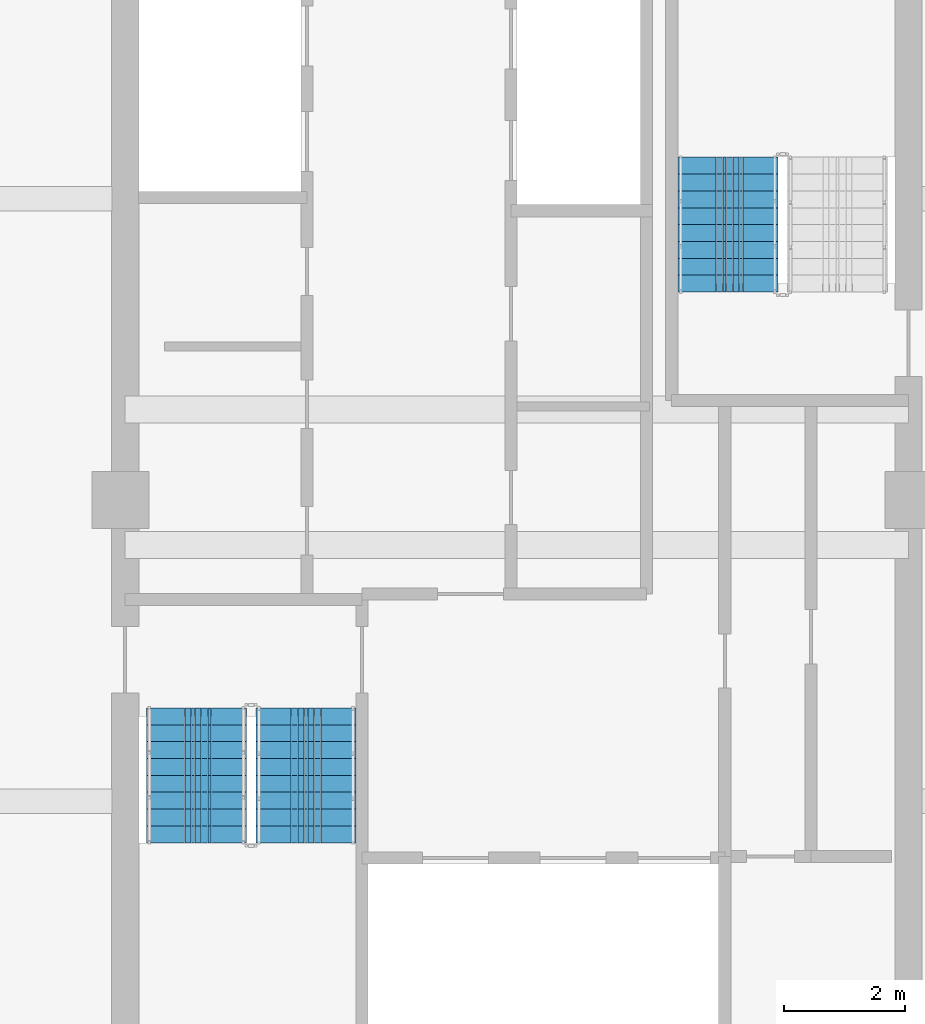
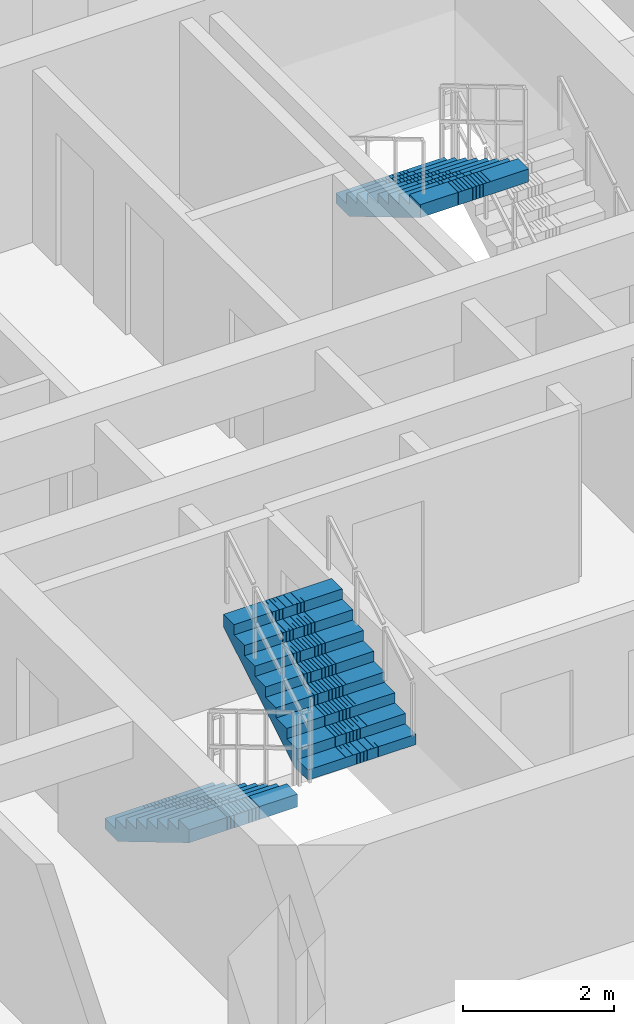
# One storey, part 8 of 14: 3 stair flights, 2 elements without a shape of their own.
"""IFC4 building model written with IfcOpenShell, lengths in metres."""

from ifc_helpers import new_model, si_unit, direction, frame, origin, place, context, subcontext, project, spatial, polyline, outline, extrude, material, type_object, element, aggregate, save


model = new_model("IFC4")

# Units and contexts
model_context = context("Model", 3, precision=1e-05, world=origin(), true_north=direction((0.0, 1.0)))
body_context = subcontext(model_context, "Body", "Model", "MODEL_VIEW")
ifc_project = project(units=[si_unit("LENGTHUNIT", "METRE"), si_unit("AREAUNIT", "SQUARE_METRE"), si_unit("VOLUMEUNIT", "CUBIC_METRE"), si_unit("PLANEANGLEUNIT", "RADIAN"), si_unit("MASSUNIT", "GRAM", prefix="KILO")], contexts=[model_context])

# Site, building, storey
site_placement = place(None, origin())
site = spatial("IfcSite", under=ifc_project, at=site_placement, CompositionType="ELEMENT")
building_placement = place(site_placement, origin())
building = spatial("IfcBuilding", under=site, at=building_placement, Name="Saelheon Loggia Tower", CompositionType="ELEMENT")
storey_placement = place(building_placement, frame((0.0, 0.0, 210.300048828125)))
storey = spatial("IfcBuildingStorey", under=building, at=storey_placement, Name="L65", CompositionType="ELEMENT", Elevation=210.300048828125)

# Stair, stair flights
ifc_material = material(Name="Concrete C40/50", Category="concrete")
stair_type = type_object("IfcStairType", Name="Stair_Escape_Core", PredefinedType="HALF_TURN_STAIR", material=ifc_material)
stair_1_placement = place(storey_placement, origin())
stair_1 = element("IfcStair", 1, at=stair_1_placement, inside=storey, type_object=stair_type, Name="L65 Special Escape Stair ST1", PredefinedType="HALF_TURN_STAIR")
stair_flight_type = type_object("IfcStairFlightType", Name="StairFlight_Tower_1660", PredefinedType="STRAIGHT", material=ifc_material)
stair_flight_1_placement = place(storey_placement, frame((32.679931640625, 23.550048828125, 0.0), z_axis=(0.0, 0.0, 1.0), x_axis=(0.0, -1.0, 0.0)))
stair_flight_1 = element("IfcStairFlight", 2, at=stair_flight_1_placement, type_object=stair_flight_type, Name="ST1 flight 1", NumberOfRisers=9, NumberOfTreads=8, PredefinedType="STRAIGHT", RiserHeight=0.166666667, TreadLength=0.28, context=body_context, shape_type="SweptSolid", body=[
    extrude(outline(polyline([(0.0, 0.0), (0.0, 0.166748046875), (0.280029296875, 0.166748046875), (0.280029296875, 0.333251953125), (0.56005859375, 0.333251953125), (0.56005859375, 0.5), (0.840087890625, 0.5), (0.840087890625, 0.666748046875), (1.1201171875, 0.666748046875), (1.1201171875, 0.833251953125), (1.39990234375, 0.833251953125), (1.39990234375, 1.0), (1.679931640625, 1.0), (1.679931640625, 1.166748046875), (1.9599609375, 1.166748046875), (1.9599609375, 1.333251953125), (2.239990234375, 1.333251953125), (2.239990234375, 1.5), (2.239990234375, 1.1240234375), (0.351806640625, 0.0), (0.0, 0.0)])), frame((0.0, -0.2490234375, 0.0), z_axis=(0.0, -1.0, 0.0), x_axis=(1.0, 0.0, 0.0)), (0.0, 0.0, 1.0), 0.5810546875),
    extrude(outline(polyline([(0.0, 0.0), (0.0, 0.166748046875), (0.280029296875, 0.166748046875), (0.280029296875, 0.333251953125), (0.56005859375, 0.333251953125), (0.56005859375, 0.5), (0.840087890625, 0.5), (0.840087890625, 0.666748046875), (1.1201171875, 0.666748046875), (1.1201171875, 0.833251953125), (1.39990234375, 0.833251953125), (1.39990234375, 1.0), (1.679931640625, 1.0), (1.679931640625, 1.166748046875), (1.9599609375, 1.166748046875), (1.9599609375, 1.333251953125), (2.239990234375, 1.333251953125), (2.239990234375, 1.5), (2.239990234375, 1.1240234375), (0.351806640625, 0.0), (0.0, 0.0)])), frame((0.0, -0.194091796875, 0.0), z_axis=(0.0, -1.0, 0.0), x_axis=(1.0, 0.0, 0.0)), (0.0, 0.0, 1.0), 0.0498046875),
    extrude(outline(polyline([(0.0, 0.0), (0.0, 0.166748046875), (0.280029296875, 0.166748046875), (0.280029296875, 0.333251953125), (0.56005859375, 0.333251953125), (0.56005859375, 0.5), (0.840087890625, 0.5), (0.840087890625, 0.666748046875), (1.1201171875, 0.666748046875), (1.1201171875, 0.833251953125), (1.39990234375, 0.833251953125), (1.39990234375, 1.0), (1.679931640625, 1.0), (1.679931640625, 1.166748046875), (1.9599609375, 1.166748046875), (1.9599609375, 1.333251953125), (2.239990234375, 1.333251953125), (2.239990234375, 1.5), (2.239990234375, 1.1240234375), (0.351806640625, 0.0), (0.0, 0.0)])), frame((0.0, -0.139404296875, 0.0), z_axis=(0.0, -1.0, 0.0), x_axis=(1.0, 0.0, 0.0)), (0.0, 0.0, 1.0), 0.0498046875),
    extrude(outline(polyline([(0.0, 0.0), (0.0, 0.166748046875), (0.280029296875, 0.166748046875), (0.280029296875, 0.333251953125), (0.56005859375, 0.333251953125), (0.56005859375, 0.5), (0.840087890625, 0.5), (0.840087890625, 0.666748046875), (1.1201171875, 0.666748046875), (1.1201171875, 0.833251953125), (1.39990234375, 0.833251953125), (1.39990234375, 1.0), (1.679931640625, 1.0), (1.679931640625, 1.166748046875), (1.9599609375, 1.166748046875), (1.9599609375, 1.333251953125), (2.239990234375, 1.333251953125), (2.239990234375, 1.5), (2.239990234375, 1.1240234375), (0.351806640625, 0.0), (0.0, 0.0)])), frame((0.0, -0.084716796875, 0.0), z_axis=(0.0, -1.0, 0.0), x_axis=(1.0, 0.0, 0.0)), (0.0, 0.0, 1.0), 0.0498046875),
    extrude(outline(polyline([(0.0, 0.0), (0.0, 0.166748046875), (0.280029296875, 0.166748046875), (0.280029296875, 0.333251953125), (0.56005859375, 0.333251953125), (0.56005859375, 0.5), (0.840087890625, 0.5), (0.840087890625, 0.666748046875), (1.1201171875, 0.666748046875), (1.1201171875, 0.833251953125), (1.39990234375, 0.833251953125), (1.39990234375, 1.0), (1.679931640625, 1.0), (1.679931640625, 1.166748046875), (1.9599609375, 1.166748046875), (1.9599609375, 1.333251953125), (2.239990234375, 1.333251953125), (2.239990234375, 1.5), (2.239990234375, 1.1240234375), (0.351806640625, 0.0), (0.0, 0.0)])), frame((0.0, -0.02978515625, 0.0), z_axis=(0.0, -1.0, 0.0), x_axis=(1.0, 0.0, 0.0)), (0.0, 0.0, 1.0), 0.0498046875),
    extrude(outline(polyline([(0.0, 0.0), (0.0, 0.166748046875), (0.280029296875, 0.166748046875), (0.280029296875, 0.333251953125), (0.56005859375, 0.333251953125), (0.56005859375, 0.5), (0.840087890625, 0.5), (0.840087890625, 0.666748046875), (1.1201171875, 0.666748046875), (1.1201171875, 0.833251953125), (1.39990234375, 0.833251953125), (1.39990234375, 1.0), (1.679931640625, 1.0), (1.679931640625, 1.166748046875), (1.9599609375, 1.166748046875), (1.9599609375, 1.333251953125), (2.239990234375, 1.333251953125), (2.239990234375, 1.5), (2.239990234375, 1.1240234375), (0.351806640625, 0.0), (0.0, 0.0)])), frame((0.0, 0.02490234375, 0.0), z_axis=(0.0, -1.0, 0.0), x_axis=(1.0, 0.0, 0.0)), (0.0, 0.0, 1.0), 0.0498046875),
    extrude(outline(polyline([(0.0, 0.0), (0.0, 0.166748046875), (0.280029296875, 0.166748046875), (0.280029296875, 0.333251953125), (0.56005859375, 0.333251953125), (0.56005859375, 0.5), (0.840087890625, 0.5), (0.840087890625, 0.666748046875), (1.1201171875, 0.666748046875), (1.1201171875, 0.833251953125), (1.39990234375, 0.833251953125), (1.39990234375, 1.0), (1.679931640625, 1.0), (1.679931640625, 1.166748046875), (1.9599609375, 1.166748046875), (1.9599609375, 1.333251953125), (2.239990234375, 1.333251953125), (2.239990234375, 1.5), (2.239990234375, 1.1240234375), (0.351806640625, 0.0), (0.0, 0.0)])), frame((0.0, 0.07958984375, 0.0), z_axis=(0.0, -1.0, 0.0), x_axis=(1.0, 0.0, 0.0)), (0.0, 0.0, 1.0), 0.0498046875),
    extrude(outline(polyline([(0.0, 0.0), (0.0, 0.166748046875), (0.280029296875, 0.166748046875), (0.280029296875, 0.333251953125), (0.56005859375, 0.333251953125), (0.56005859375, 0.5), (0.840087890625, 0.5), (0.840087890625, 0.666748046875), (1.1201171875, 0.666748046875), (1.1201171875, 0.833251953125), (1.39990234375, 0.833251953125), (1.39990234375, 1.0), (1.679931640625, 1.0), (1.679931640625, 1.166748046875), (1.9599609375, 1.166748046875), (1.9599609375, 1.333251953125), (2.239990234375, 1.333251953125), (2.239990234375, 1.5), (2.239990234375, 1.1240234375), (0.351806640625, 0.0), (0.0, 0.0)])), frame((0.0, 0.134521484375, 0.0), z_axis=(0.0, -1.0, 0.0), x_axis=(1.0, 0.0, 0.0)), (0.0, 0.0, 1.0), 0.0498046875),
    extrude(outline(polyline([(0.0, 0.0), (0.0, 0.166748046875), (0.280029296875, 0.166748046875), (0.280029296875, 0.333251953125), (0.56005859375, 0.333251953125), (0.56005859375, 0.5), (0.840087890625, 0.5), (0.840087890625, 0.666748046875), (1.1201171875, 0.666748046875), (1.1201171875, 0.833251953125), (1.39990234375, 0.833251953125), (1.39990234375, 1.0), (1.679931640625, 1.0), (1.679931640625, 1.166748046875), (1.9599609375, 1.166748046875), (1.9599609375, 1.333251953125), (2.239990234375, 1.333251953125), (2.239990234375, 1.5), (2.239990234375, 1.1240234375), (0.351806640625, 0.0), (0.0, 0.0)])), frame((0.0, 0.189208984375, 0.0), z_axis=(0.0, -1.0, 0.0), x_axis=(1.0, 0.0, 0.0)), (0.0, 0.0, 1.0), 0.0498046875),
    extrude(outline(polyline([(0.0, 0.0), (0.0, 0.166748046875), (0.280029296875, 0.166748046875), (0.280029296875, 0.333251953125), (0.56005859375, 0.333251953125), (0.56005859375, 0.5), (0.840087890625, 0.5), (0.840087890625, 0.666748046875), (1.1201171875, 0.666748046875), (1.1201171875, 0.833251953125), (1.39990234375, 0.833251953125), (1.39990234375, 1.0), (1.679931640625, 1.0), (1.679931640625, 1.166748046875), (1.9599609375, 1.166748046875), (1.9599609375, 1.333251953125), (2.239990234375, 1.333251953125), (2.239990234375, 1.5), (2.239990234375, 1.1240234375), (0.351806640625, 0.0), (0.0, 0.0)])), frame((0.0, 0.243896484375, 0.0), z_axis=(0.0, -1.0, 0.0), x_axis=(1.0, 0.0, 0.0)), (0.0, 0.0, 1.0), 0.0498046875),
    extrude(outline(polyline([(0.0, 0.0), (0.0, 0.166748046875), (0.280029296875, 0.166748046875), (0.280029296875, 0.333251953125), (0.56005859375, 0.333251953125), (0.56005859375, 0.5), (0.840087890625, 0.5), (0.840087890625, 0.666748046875), (1.1201171875, 0.666748046875), (1.1201171875, 0.833251953125), (1.39990234375, 0.833251953125), (1.39990234375, 1.0), (1.679931640625, 1.0), (1.679931640625, 1.166748046875), (1.9599609375, 1.166748046875), (1.9599609375, 1.333251953125), (2.239990234375, 1.333251953125), (2.239990234375, 1.5), (2.239990234375, 1.1240234375), (0.351806640625, 0.0), (0.0, 0.0)])), frame((0.0, 0.830078125, 0.0), z_axis=(0.0, -1.0, 0.0), x_axis=(1.0, 0.0, 0.0)), (0.0, 0.0, 1.0), 0.5810546875),
])
stair_flight_2_placement = place(storey_placement, frame((34.5, 21.31005859375, 1.5), z_axis=(0.0, 0.0, 1.0), x_axis=(0.0, 1.0, 0.0)))
stair_flight_2 = element("IfcStairFlight", 3, at=stair_flight_2_placement, type_object=stair_flight_type, Name="ST1 flight 2", NumberOfRisers=9, NumberOfTreads=8, PredefinedType="STRAIGHT", RiserHeight=0.166666667, TreadLength=0.28, context=body_context, shape_type="SweptSolid", body=[
    extrude(outline(polyline([(0.0, 0.0), (0.0, 0.166748046875), (0.280029296875, 0.166748046875), (0.280029296875, 0.333251953125), (0.56005859375, 0.333251953125), (0.56005859375, 0.5), (0.840087890625, 0.5), (0.840087890625, 0.666748046875), (1.1201171875, 0.666748046875), (1.1201171875, 0.833251953125), (1.39990234375, 0.833251953125), (1.39990234375, 1.0), (1.679931640625, 1.0), (1.679931640625, 1.166748046875), (1.9599609375, 1.166748046875), (1.9599609375, 1.333251953125), (2.239990234375, 1.333251953125), (2.239990234375, 1.5), (2.239990234375, 1.1240234375), (0.351806640625, 0.0), (0.0, 0.0)])), frame((0.0, -0.2490234375, 0.0), z_axis=(0.0, -1.0, 0.0), x_axis=(1.0, 0.0, 0.0)), (0.0, 0.0, 1.0), 0.5810546875),
    extrude(outline(polyline([(0.0, 0.0), (0.0, 0.166748046875), (0.280029296875, 0.166748046875), (0.280029296875, 0.333251953125), (0.56005859375, 0.333251953125), (0.56005859375, 0.5), (0.840087890625, 0.5), (0.840087890625, 0.666748046875), (1.1201171875, 0.666748046875), (1.1201171875, 0.833251953125), (1.39990234375, 0.833251953125), (1.39990234375, 1.0), (1.679931640625, 1.0), (1.679931640625, 1.166748046875), (1.9599609375, 1.166748046875), (1.9599609375, 1.333251953125), (2.239990234375, 1.333251953125), (2.239990234375, 1.5), (2.239990234375, 1.1240234375), (0.351806640625, 0.0), (0.0, 0.0)])), frame((0.0, -0.194091796875, 0.0), z_axis=(0.0, -1.0, 0.0), x_axis=(1.0, 0.0, 0.0)), (0.0, 0.0, 1.0), 0.0498046875),
    extrude(outline(polyline([(0.0, 0.0), (0.0, 0.166748046875), (0.280029296875, 0.166748046875), (0.280029296875, 0.333251953125), (0.56005859375, 0.333251953125), (0.56005859375, 0.5), (0.840087890625, 0.5), (0.840087890625, 0.666748046875), (1.1201171875, 0.666748046875), (1.1201171875, 0.833251953125), (1.39990234375, 0.833251953125), (1.39990234375, 1.0), (1.679931640625, 1.0), (1.679931640625, 1.166748046875), (1.9599609375, 1.166748046875), (1.9599609375, 1.333251953125), (2.239990234375, 1.333251953125), (2.239990234375, 1.5), (2.239990234375, 1.1240234375), (0.351806640625, 0.0), (0.0, 0.0)])), frame((0.0, -0.139404296875, 0.0), z_axis=(0.0, -1.0, 0.0), x_axis=(1.0, 0.0, 0.0)), (0.0, 0.0, 1.0), 0.0498046875),
    extrude(outline(polyline([(0.0, 0.0), (0.0, 0.166748046875), (0.280029296875, 0.166748046875), (0.280029296875, 0.333251953125), (0.56005859375, 0.333251953125), (0.56005859375, 0.5), (0.840087890625, 0.5), (0.840087890625, 0.666748046875), (1.1201171875, 0.666748046875), (1.1201171875, 0.833251953125), (1.39990234375, 0.833251953125), (1.39990234375, 1.0), (1.679931640625, 1.0), (1.679931640625, 1.166748046875), (1.9599609375, 1.166748046875), (1.9599609375, 1.333251953125), (2.239990234375, 1.333251953125), (2.239990234375, 1.5), (2.239990234375, 1.1240234375), (0.351806640625, 0.0), (0.0, 0.0)])), frame((0.0, -0.084716796875, 0.0), z_axis=(0.0, -1.0, 0.0), x_axis=(1.0, 0.0, 0.0)), (0.0, 0.0, 1.0), 0.0498046875),
    extrude(outline(polyline([(0.0, 0.0), (0.0, 0.166748046875), (0.280029296875, 0.166748046875), (0.280029296875, 0.333251953125), (0.56005859375, 0.333251953125), (0.56005859375, 0.5), (0.840087890625, 0.5), (0.840087890625, 0.666748046875), (1.1201171875, 0.666748046875), (1.1201171875, 0.833251953125), (1.39990234375, 0.833251953125), (1.39990234375, 1.0), (1.679931640625, 1.0), (1.679931640625, 1.166748046875), (1.9599609375, 1.166748046875), (1.9599609375, 1.333251953125), (2.239990234375, 1.333251953125), (2.239990234375, 1.5), (2.239990234375, 1.1240234375), (0.351806640625, 0.0), (0.0, 0.0)])), frame((0.0, -0.02978515625, 0.0), z_axis=(0.0, -1.0, 0.0), x_axis=(1.0, 0.0, 0.0)), (0.0, 0.0, 1.0), 0.0498046875),
    extrude(outline(polyline([(0.0, 0.0), (0.0, 0.166748046875), (0.280029296875, 0.166748046875), (0.280029296875, 0.333251953125), (0.56005859375, 0.333251953125), (0.56005859375, 0.5), (0.840087890625, 0.5), (0.840087890625, 0.666748046875), (1.1201171875, 0.666748046875), (1.1201171875, 0.833251953125), (1.39990234375, 0.833251953125), (1.39990234375, 1.0), (1.679931640625, 1.0), (1.679931640625, 1.166748046875), (1.9599609375, 1.166748046875), (1.9599609375, 1.333251953125), (2.239990234375, 1.333251953125), (2.239990234375, 1.5), (2.239990234375, 1.1240234375), (0.351806640625, 0.0), (0.0, 0.0)])), frame((0.0, 0.02490234375, 0.0), z_axis=(0.0, -1.0, 0.0), x_axis=(1.0, 0.0, 0.0)), (0.0, 0.0, 1.0), 0.0498046875),
    extrude(outline(polyline([(0.0, 0.0), (0.0, 0.166748046875), (0.280029296875, 0.166748046875), (0.280029296875, 0.333251953125), (0.56005859375, 0.333251953125), (0.56005859375, 0.5), (0.840087890625, 0.5), (0.840087890625, 0.666748046875), (1.1201171875, 0.666748046875), (1.1201171875, 0.833251953125), (1.39990234375, 0.833251953125), (1.39990234375, 1.0), (1.679931640625, 1.0), (1.679931640625, 1.166748046875), (1.9599609375, 1.166748046875), (1.9599609375, 1.333251953125), (2.239990234375, 1.333251953125), (2.239990234375, 1.5), (2.239990234375, 1.1240234375), (0.351806640625, 0.0), (0.0, 0.0)])), frame((0.0, 0.07958984375, 0.0), z_axis=(0.0, -1.0, 0.0), x_axis=(1.0, 0.0, 0.0)), (0.0, 0.0, 1.0), 0.0498046875),
    extrude(outline(polyline([(0.0, 0.0), (0.0, 0.166748046875), (0.280029296875, 0.166748046875), (0.280029296875, 0.333251953125), (0.56005859375, 0.333251953125), (0.56005859375, 0.5), (0.840087890625, 0.5), (0.840087890625, 0.666748046875), (1.1201171875, 0.666748046875), (1.1201171875, 0.833251953125), (1.39990234375, 0.833251953125), (1.39990234375, 1.0), (1.679931640625, 1.0), (1.679931640625, 1.166748046875), (1.9599609375, 1.166748046875), (1.9599609375, 1.333251953125), (2.239990234375, 1.333251953125), (2.239990234375, 1.5), (2.239990234375, 1.1240234375), (0.351806640625, 0.0), (0.0, 0.0)])), frame((0.0, 0.134521484375, 0.0), z_axis=(0.0, -1.0, 0.0), x_axis=(1.0, 0.0, 0.0)), (0.0, 0.0, 1.0), 0.0498046875),
    extrude(outline(polyline([(0.0, 0.0), (0.0, 0.166748046875), (0.280029296875, 0.166748046875), (0.280029296875, 0.333251953125), (0.56005859375, 0.333251953125), (0.56005859375, 0.5), (0.840087890625, 0.5), (0.840087890625, 0.666748046875), (1.1201171875, 0.666748046875), (1.1201171875, 0.833251953125), (1.39990234375, 0.833251953125), (1.39990234375, 1.0), (1.679931640625, 1.0), (1.679931640625, 1.166748046875), (1.9599609375, 1.166748046875), (1.9599609375, 1.333251953125), (2.239990234375, 1.333251953125), (2.239990234375, 1.5), (2.239990234375, 1.1240234375), (0.351806640625, 0.0), (0.0, 0.0)])), frame((0.0, 0.189208984375, 0.0), z_axis=(0.0, -1.0, 0.0), x_axis=(1.0, 0.0, 0.0)), (0.0, 0.0, 1.0), 0.0498046875),
    extrude(outline(polyline([(0.0, 0.0), (0.0, 0.166748046875), (0.280029296875, 0.166748046875), (0.280029296875, 0.333251953125), (0.56005859375, 0.333251953125), (0.56005859375, 0.5), (0.840087890625, 0.5), (0.840087890625, 0.666748046875), (1.1201171875, 0.666748046875), (1.1201171875, 0.833251953125), (1.39990234375, 0.833251953125), (1.39990234375, 1.0), (1.679931640625, 1.0), (1.679931640625, 1.166748046875), (1.9599609375, 1.166748046875), (1.9599609375, 1.333251953125), (2.239990234375, 1.333251953125), (2.239990234375, 1.5), (2.239990234375, 1.1240234375), (0.351806640625, 0.0), (0.0, 0.0)])), frame((0.0, 0.243896484375, 0.0), z_axis=(0.0, -1.0, 0.0), x_axis=(1.0, 0.0, 0.0)), (0.0, 0.0, 1.0), 0.0498046875),
    extrude(outline(polyline([(0.0, 0.0), (0.0, 0.166748046875), (0.280029296875, 0.166748046875), (0.280029296875, 0.333251953125), (0.56005859375, 0.333251953125), (0.56005859375, 0.5), (0.840087890625, 0.5), (0.840087890625, 0.666748046875), (1.1201171875, 0.666748046875), (1.1201171875, 0.833251953125), (1.39990234375, 0.833251953125), (1.39990234375, 1.0), (1.679931640625, 1.0), (1.679931640625, 1.166748046875), (1.9599609375, 1.166748046875), (1.9599609375, 1.333251953125), (2.239990234375, 1.333251953125), (2.239990234375, 1.5), (2.239990234375, 1.1240234375), (0.351806640625, 0.0), (0.0, 0.0)])), frame((0.0, 0.830078125, 0.0), z_axis=(0.0, -1.0, 0.0), x_axis=(1.0, 0.0, 0.0)), (0.0, 0.0, 1.0), 0.5810546875),
])
aggregate(stair_1, [stair_flight_1, stair_flight_2])

# Stair, stair flight
stair_2_placement = place(storey_placement, origin())
stair_2 = element("IfcStair", 4, at=stair_2_placement, inside=storey, type_object=stair_type, Name="L65 Special Escape Stair ST2", PredefinedType="HALF_TURN_STAIR")
stair_flight_3_placement = place(storey_placement, frame((41.5, 32.68994140625, 1.5), z_axis=(0.0, 0.0, 1.0), x_axis=(0.0, -1.0, 0.0)))
stair_flight_3 = element("IfcStairFlight", 5, at=stair_flight_3_placement, type_object=stair_flight_type, Name="ST2 flight 2", NumberOfRisers=9, NumberOfTreads=8, PredefinedType="STRAIGHT", RiserHeight=0.166666667, TreadLength=0.28, context=body_context, shape_type="SweptSolid", body=[
    extrude(outline(polyline([(0.0, 0.0), (0.0, 0.166748046875), (0.280029296875, 0.166748046875), (0.280029296875, 0.333251953125), (0.56005859375, 0.333251953125), (0.56005859375, 0.5), (0.840087890625, 0.5), (0.840087890625, 0.666748046875), (1.1201171875, 0.666748046875), (1.1201171875, 0.833251953125), (1.39990234375, 0.833251953125), (1.39990234375, 1.0), (1.679931640625, 1.0), (1.679931640625, 1.166748046875), (1.9599609375, 1.166748046875), (1.9599609375, 1.333251953125), (2.239990234375, 1.333251953125), (2.239990234375, 1.5), (2.239990234375, 1.1240234375), (0.351806640625, 0.0), (0.0, 0.0)])), frame((0.0, -0.2490234375, 0.0), z_axis=(0.0, -1.0, 0.0), x_axis=(1.0, 0.0, 0.0)), (0.0, 0.0, 1.0), 0.5810546875),
    extrude(outline(polyline([(0.0, 0.0), (0.0, 0.166748046875), (0.280029296875, 0.166748046875), (0.280029296875, 0.333251953125), (0.56005859375, 0.333251953125), (0.56005859375, 0.5), (0.840087890625, 0.5), (0.840087890625, 0.666748046875), (1.1201171875, 0.666748046875), (1.1201171875, 0.833251953125), (1.39990234375, 0.833251953125), (1.39990234375, 1.0), (1.679931640625, 1.0), (1.679931640625, 1.166748046875), (1.9599609375, 1.166748046875), (1.9599609375, 1.333251953125), (2.239990234375, 1.333251953125), (2.239990234375, 1.5), (2.239990234375, 1.1240234375), (0.351806640625, 0.0), (0.0, 0.0)])), frame((0.0, -0.194091796875, 0.0), z_axis=(0.0, -1.0, 0.0), x_axis=(1.0, 0.0, 0.0)), (0.0, 0.0, 1.0), 0.0498046875),
    extrude(outline(polyline([(0.0, 0.0), (0.0, 0.166748046875), (0.280029296875, 0.166748046875), (0.280029296875, 0.333251953125), (0.56005859375, 0.333251953125), (0.56005859375, 0.5), (0.840087890625, 0.5), (0.840087890625, 0.666748046875), (1.1201171875, 0.666748046875), (1.1201171875, 0.833251953125), (1.39990234375, 0.833251953125), (1.39990234375, 1.0), (1.679931640625, 1.0), (1.679931640625, 1.166748046875), (1.9599609375, 1.166748046875), (1.9599609375, 1.333251953125), (2.239990234375, 1.333251953125), (2.239990234375, 1.5), (2.239990234375, 1.1240234375), (0.351806640625, 0.0), (0.0, 0.0)])), frame((0.0, -0.139404296875, 0.0), z_axis=(0.0, -1.0, 0.0), x_axis=(1.0, 0.0, 0.0)), (0.0, 0.0, 1.0), 0.0498046875),
    extrude(outline(polyline([(0.0, 0.0), (0.0, 0.166748046875), (0.280029296875, 0.166748046875), (0.280029296875, 0.333251953125), (0.56005859375, 0.333251953125), (0.56005859375, 0.5), (0.840087890625, 0.5), (0.840087890625, 0.666748046875), (1.1201171875, 0.666748046875), (1.1201171875, 0.833251953125), (1.39990234375, 0.833251953125), (1.39990234375, 1.0), (1.679931640625, 1.0), (1.679931640625, 1.166748046875), (1.9599609375, 1.166748046875), (1.9599609375, 1.333251953125), (2.239990234375, 1.333251953125), (2.239990234375, 1.5), (2.239990234375, 1.1240234375), (0.351806640625, 0.0), (0.0, 0.0)])), frame((0.0, -0.084716796875, 0.0), z_axis=(0.0, -1.0, 0.0), x_axis=(1.0, 0.0, 0.0)), (0.0, 0.0, 1.0), 0.0498046875),
    extrude(outline(polyline([(0.0, 0.0), (0.0, 0.166748046875), (0.280029296875, 0.166748046875), (0.280029296875, 0.333251953125), (0.56005859375, 0.333251953125), (0.56005859375, 0.5), (0.840087890625, 0.5), (0.840087890625, 0.666748046875), (1.1201171875, 0.666748046875), (1.1201171875, 0.833251953125), (1.39990234375, 0.833251953125), (1.39990234375, 1.0), (1.679931640625, 1.0), (1.679931640625, 1.166748046875), (1.9599609375, 1.166748046875), (1.9599609375, 1.333251953125), (2.239990234375, 1.333251953125), (2.239990234375, 1.5), (2.239990234375, 1.1240234375), (0.351806640625, 0.0), (0.0, 0.0)])), frame((0.0, -0.02978515625, 0.0), z_axis=(0.0, -1.0, 0.0), x_axis=(1.0, 0.0, 0.0)), (0.0, 0.0, 1.0), 0.0498046875),
    extrude(outline(polyline([(0.0, 0.0), (0.0, 0.166748046875), (0.280029296875, 0.166748046875), (0.280029296875, 0.333251953125), (0.56005859375, 0.333251953125), (0.56005859375, 0.5), (0.840087890625, 0.5), (0.840087890625, 0.666748046875), (1.1201171875, 0.666748046875), (1.1201171875, 0.833251953125), (1.39990234375, 0.833251953125), (1.39990234375, 1.0), (1.679931640625, 1.0), (1.679931640625, 1.166748046875), (1.9599609375, 1.166748046875), (1.9599609375, 1.333251953125), (2.239990234375, 1.333251953125), (2.239990234375, 1.5), (2.239990234375, 1.1240234375), (0.351806640625, 0.0), (0.0, 0.0)])), frame((0.0, 0.02490234375, 0.0), z_axis=(0.0, -1.0, 0.0), x_axis=(1.0, 0.0, 0.0)), (0.0, 0.0, 1.0), 0.0498046875),
    extrude(outline(polyline([(0.0, 0.0), (0.0, 0.166748046875), (0.280029296875, 0.166748046875), (0.280029296875, 0.333251953125), (0.56005859375, 0.333251953125), (0.56005859375, 0.5), (0.840087890625, 0.5), (0.840087890625, 0.666748046875), (1.1201171875, 0.666748046875), (1.1201171875, 0.833251953125), (1.39990234375, 0.833251953125), (1.39990234375, 1.0), (1.679931640625, 1.0), (1.679931640625, 1.166748046875), (1.9599609375, 1.166748046875), (1.9599609375, 1.333251953125), (2.239990234375, 1.333251953125), (2.239990234375, 1.5), (2.239990234375, 1.1240234375), (0.351806640625, 0.0), (0.0, 0.0)])), frame((0.0, 0.07958984375, 0.0), z_axis=(0.0, -1.0, 0.0), x_axis=(1.0, 0.0, 0.0)), (0.0, 0.0, 1.0), 0.0498046875),
    extrude(outline(polyline([(0.0, 0.0), (0.0, 0.166748046875), (0.280029296875, 0.166748046875), (0.280029296875, 0.333251953125), (0.56005859375, 0.333251953125), (0.56005859375, 0.5), (0.840087890625, 0.5), (0.840087890625, 0.666748046875), (1.1201171875, 0.666748046875), (1.1201171875, 0.833251953125), (1.39990234375, 0.833251953125), (1.39990234375, 1.0), (1.679931640625, 1.0), (1.679931640625, 1.166748046875), (1.9599609375, 1.166748046875), (1.9599609375, 1.333251953125), (2.239990234375, 1.333251953125), (2.239990234375, 1.5), (2.239990234375, 1.1240234375), (0.351806640625, 0.0), (0.0, 0.0)])), frame((0.0, 0.134521484375, 0.0), z_axis=(0.0, -1.0, 0.0), x_axis=(1.0, 0.0, 0.0)), (0.0, 0.0, 1.0), 0.0498046875),
    extrude(outline(polyline([(0.0, 0.0), (0.0, 0.166748046875), (0.280029296875, 0.166748046875), (0.280029296875, 0.333251953125), (0.56005859375, 0.333251953125), (0.56005859375, 0.5), (0.840087890625, 0.5), (0.840087890625, 0.666748046875), (1.1201171875, 0.666748046875), (1.1201171875, 0.833251953125), (1.39990234375, 0.833251953125), (1.39990234375, 1.0), (1.679931640625, 1.0), (1.679931640625, 1.166748046875), (1.9599609375, 1.166748046875), (1.9599609375, 1.333251953125), (2.239990234375, 1.333251953125), (2.239990234375, 1.5), (2.239990234375, 1.1240234375), (0.351806640625, 0.0), (0.0, 0.0)])), frame((0.0, 0.189208984375, 0.0), z_axis=(0.0, -1.0, 0.0), x_axis=(1.0, 0.0, 0.0)), (0.0, 0.0, 1.0), 0.0498046875),
    extrude(outline(polyline([(0.0, 0.0), (0.0, 0.166748046875), (0.280029296875, 0.166748046875), (0.280029296875, 0.333251953125), (0.56005859375, 0.333251953125), (0.56005859375, 0.5), (0.840087890625, 0.5), (0.840087890625, 0.666748046875), (1.1201171875, 0.666748046875), (1.1201171875, 0.833251953125), (1.39990234375, 0.833251953125), (1.39990234375, 1.0), (1.679931640625, 1.0), (1.679931640625, 1.166748046875), (1.9599609375, 1.166748046875), (1.9599609375, 1.333251953125), (2.239990234375, 1.333251953125), (2.239990234375, 1.5), (2.239990234375, 1.1240234375), (0.351806640625, 0.0), (0.0, 0.0)])), frame((0.0, 0.243896484375, 0.0), z_axis=(0.0, -1.0, 0.0), x_axis=(1.0, 0.0, 0.0)), (0.0, 0.0, 1.0), 0.0498046875),
    extrude(outline(polyline([(0.0, 0.0), (0.0, 0.166748046875), (0.280029296875, 0.166748046875), (0.280029296875, 0.333251953125), (0.56005859375, 0.333251953125), (0.56005859375, 0.5), (0.840087890625, 0.5), (0.840087890625, 0.666748046875), (1.1201171875, 0.666748046875), (1.1201171875, 0.833251953125), (1.39990234375, 0.833251953125), (1.39990234375, 1.0), (1.679931640625, 1.0), (1.679931640625, 1.166748046875), (1.9599609375, 1.166748046875), (1.9599609375, 1.333251953125), (2.239990234375, 1.333251953125), (2.239990234375, 1.5), (2.239990234375, 1.1240234375), (0.351806640625, 0.0), (0.0, 0.0)])), frame((0.0, 0.830078125, 0.0), z_axis=(0.0, -1.0, 0.0), x_axis=(1.0, 0.0, 0.0)), (0.0, 0.0, 1.0), 0.5810546875),
])
aggregate(stair_2, [stair_flight_3])

save(model, "model.ifc")
